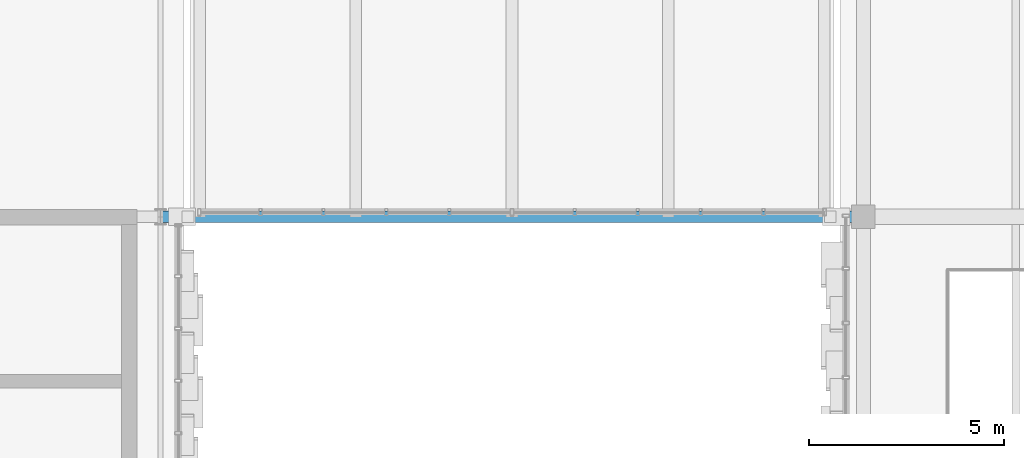
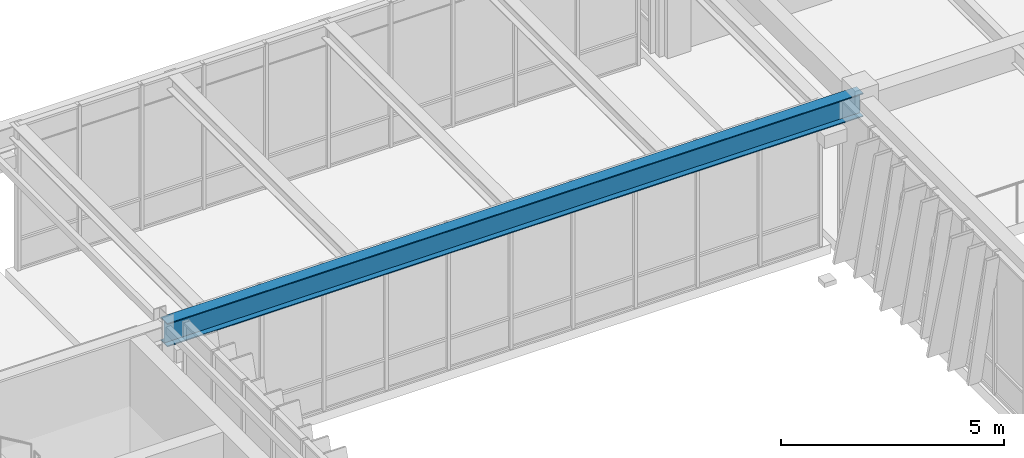
# One storey, part 55 of 127: 1 beam.
"""IFC4 building model written with IfcOpenShell, lengths in metres."""

from ifc_helpers import new_model, si_unit, direction, frame, origin, origin_2d, place, context, subcontext, project, spatial, i_section, extrude, material, material_profile, profile_set, type_object, element, save


model = new_model("IFC4")

# Units and contexts
model_context = context("Model", 3, precision=1e-05, world=origin(), true_north=direction((0.0, 1.0)))
body_context = subcontext(model_context, "Body", "Model", "MODEL_VIEW")
ifc_project = project(units=[si_unit("LENGTHUNIT", "METRE"), si_unit("AREAUNIT", "SQUARE_METRE"), si_unit("VOLUMEUNIT", "CUBIC_METRE"), si_unit("PLANEANGLEUNIT", "RADIAN"), si_unit("MASSUNIT", "GRAM", prefix="KILO")], contexts=[model_context])

# Site, building, storey
site_placement = place(None, origin())
site = spatial("IfcSite", under=ifc_project, at=site_placement, CompositionType="ELEMENT")
building_placement = place(site_placement, origin())
building = spatial("IfcBuilding", under=site, at=building_placement, Name="Zayran Congress Hotel", CompositionType="ELEMENT")
storey_placement = place(building_placement, frame((0.0, 0.0, 10.800048828125)))
storey = spatial("IfcBuildingStorey", under=building, at=storey_placement, Name="L02", CompositionType="ELEMENT", Elevation=10.800048828125)

# Beam
ifc_material = material(Name="Steel S355", Category="steel")
ifc_material_profile = material_profile(ifc_material, i_section(OverallWidth=0.300048828125, OverallDepth=0.639892578125, WebThickness=0.013427734375, FlangeThickness=0.02587890625, at=origin_2d()), Name="HEA 650")
ifc_profile_set = profile_set([ifc_material_profile], Name="Steel S355")
beam_type = type_object("IfcBeamType", Name="TP-BM-04", PredefinedType="BEAM", material=ifc_profile_set)
beam_placement = place(storey_placement, frame((91.800048828125, 76.0, 3.639892578125), z_axis=(1.0, 0.0, 0.0), x_axis=(0.0, 1.0, 0.0)))
element("IfcBeam", 1, at=beam_placement, inside=storey, type_object=beam_type, Name="BM-BR1-L02-2415", PredefinedType="BEAM", context=body_context, shape_type="SweptSolid", body=[
    extrude(i_section(OverallWidth=0.300048828125, OverallDepth=0.639892578125, WebThickness=0.013427734375, FlangeThickness=0.02587890625, at=origin_2d()), origin(), (0.0, 0.0, 1.0), 18.0),
])

save(model, "model.ifc")
